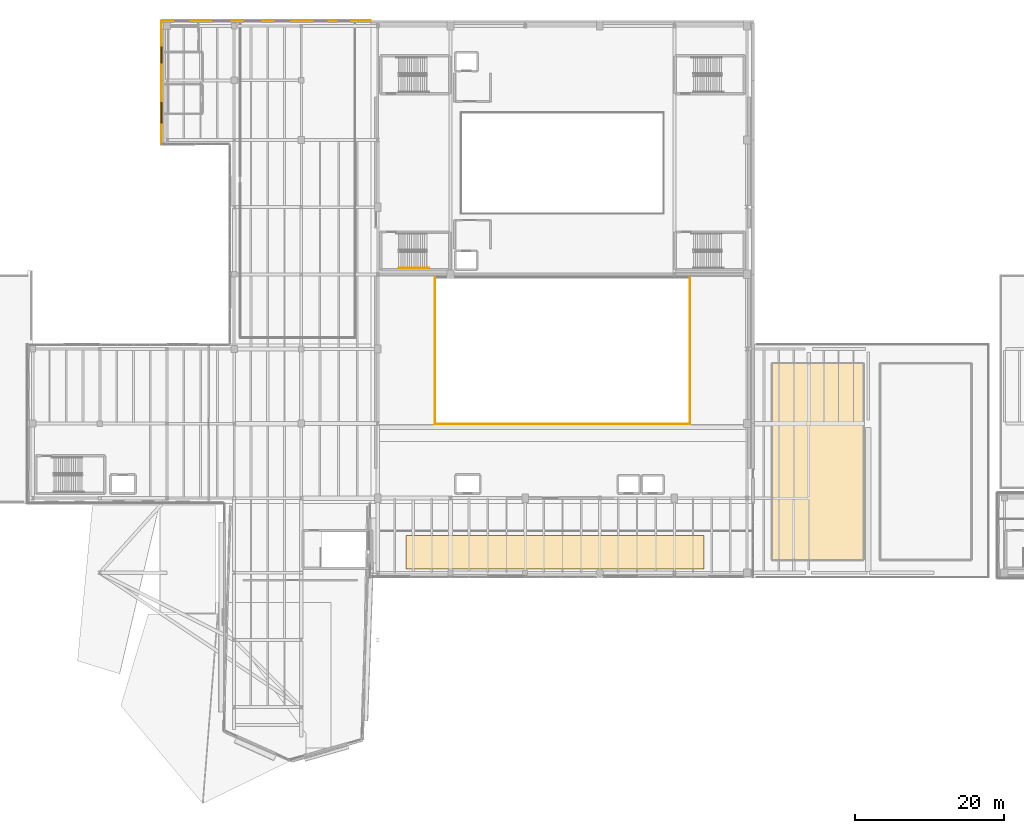
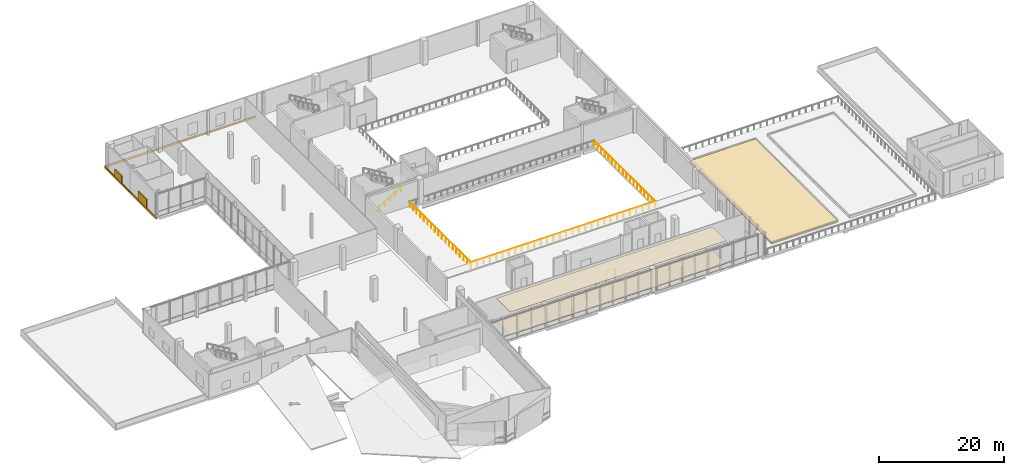
# One storey, part 36 of 41: 8 coverings, 4 railings, 2 shading devices.
"""IFC4 building model written with IfcOpenShell, lengths in metres."""

from ifc_helpers import new_model, si_unit, direction, frame, origin, origin_2d, place, context, subcontext, project, spatial, polyline, rectangle, circle, outline, extrude, material, layer, layer_set, type_object, element, save


model = new_model("IFC4")

# Units and contexts
model_context = context("Model", 3, precision=1e-05, world=origin(), true_north=direction((0.0, 1.0)))
body_context = subcontext(model_context, "Body", "Model", "MODEL_VIEW")
ifc_project = project(units=[si_unit("LENGTHUNIT", "METRE"), si_unit("AREAUNIT", "SQUARE_METRE"), si_unit("VOLUMEUNIT", "CUBIC_METRE"), si_unit("PLANEANGLEUNIT", "RADIAN"), si_unit("MASSUNIT", "GRAM", prefix="KILO")], contexts=[model_context])

# Site, building, storey
site_placement = place(None, origin())
site = spatial("IfcSite", under=ifc_project, at=site_placement, CompositionType="ELEMENT")
building_placement = place(site_placement, origin())
building = spatial("IfcBuilding", under=site, at=building_placement, Name="Trimount Lyric Opera House", CompositionType="ELEMENT")
storey_placement = place(building_placement, frame((0.0, 0.0, 20.0)))
storey = spatial("IfcBuildingStorey", under=building, at=storey_placement, Name="L04", CompositionType="ELEMENT", Elevation=20.0)

# Coverings
ifc_material_1 = material(Name="Micro-Perforated White Oak Acoustic Ceiling")
ifc_layer_1 = layer(ifc_material_1, 0.0400390625)
ifc_layer_set_1 = layer_set([ifc_layer_1], Name="CEIL-AC1")
covering_type_1 = type_object("IfcCoveringType", Name="CEIL-AC1", PredefinedType="CEILING", material=ifc_layer_set_1)
covering_1_placement = place(storey_placement, frame((0.0, 0.0, 4.469970703125)))
element("IfcCovering", 1, at=covering_1_placement, inside=storey, type_object=covering_type_1, Name="Upper Gallery Foyer acoustic ceiling", PredefinedType="CEILING", context=body_context, shape_type="SweptSolid", body=[
    extrude(outline(polyline([(68.0, 44.5), (108.0, 44.5), (108.0, 49.0), (68.0, 49.0), (68.0, 44.5)])), origin(), (0.0, 0.0, 1.0), 0.0400390625),
])
ifc_material_2 = material(Name="Architectural Precast Concrete Spandrel Band", Category="concrete")
ifc_layer_2 = layer(ifc_material_2, 0.094970703125)
ifc_layer_set_2 = layer_set([ifc_layer_2], Name="CLD-WING1")
covering_type_2 = type_object("IfcCoveringType", Name="CLD-WING1", PredefinedType="CLADDING", material=ifc_layer_set_2)
covering_2_placement = place(storey_placement, frame((35.278564453125, 105.659912109375, -0.369873046875), z_axis=(0.0, 0.0, 1.0), x_axis=(0.0, 1.0, 0.0)))
element("IfcCovering", 2, at=covering_2_placement, inside=storey, type_object=covering_type_2, Name="L04 precast slab-edge spandrel 296", PredefinedType="CLADDING", context=body_context, shape_type="SweptSolid", body=[
    extrude(rectangle(XDim=8.6201171875, YDim=0.094970703125, at=origin_2d()), origin(), (0.0, 0.0, 1.0), 0.419921875),
])
covering_3_placement = place(storey_placement, frame((35.278564453125, 114.0, -0.369873046875), z_axis=(0.0, 0.0, 1.0), x_axis=(0.0, 1.0, 0.0)))
element("IfcCovering", 3, at=covering_3_placement, inside=storey, type_object=covering_type_2, Name="L04 precast slab-edge spandrel 297", PredefinedType="CLADDING", context=body_context, shape_type="SweptSolid", body=[
    extrude(rectangle(XDim=7.93994140625, YDim=0.094970703125, at=origin_2d()), origin(), (0.0, 0.0, 1.0), 0.419921875),
])
covering_4_placement = place(storey_placement, frame((40.159912109375, 118.04150390625, -0.369873046875), z_axis=(0.0, 0.0, 1.0), x_axis=(1.0, 0.0, 0.0)))
element("IfcCovering", 4, at=covering_4_placement, inside=storey, type_object=covering_type_2, Name="L04 precast slab-edge spandrel 298", PredefinedType="CLADDING", context=body_context, shape_type="SweptSolid", body=[
    extrude(rectangle(XDim=9.6201171875, YDim=0.094970703125, at=origin_2d()), origin(), (0.0, 0.0, 1.0), 0.419921875),
])
covering_5_placement = place(storey_placement, frame((49.5, 118.04150390625, -0.369873046875), z_axis=(0.0, 0.0, 1.0), x_axis=(1.0, 0.0, 0.0)))
element("IfcCovering", 5, at=covering_5_placement, inside=storey, type_object=covering_type_2, Name="L04 precast slab-edge spandrel 299", PredefinedType="CLADDING", context=body_context, shape_type="SweptSolid", body=[
    extrude(rectangle(XDim=8.93994140625, YDim=0.094970703125, at=origin_2d()), origin(), (0.0, 0.0, 1.0), 0.419921875),
])
covering_6_placement = place(storey_placement, frame((58.659912109375, 118.04150390625, -0.369873046875), z_axis=(0.0, 0.0, 1.0), x_axis=(1.0, 0.0, 0.0)))
element("IfcCovering", 6, at=covering_6_placement, inside=storey, type_object=covering_type_2, Name="L04 precast slab-edge spandrel 300", PredefinedType="CLADDING", context=body_context, shape_type="SweptSolid", body=[
    extrude(rectangle(XDim=9.260009765625, YDim=0.094970703125, at=origin_2d()), origin(), (0.0, 0.0, 1.0), 0.419921875),
])
ifc_material_3 = material(Name="Honed Granite Terrazzo Concourse Flooring", Category="masonry")
ifc_layer_3 = layer(ifc_material_3, 0.02490234375)
ifc_layer_set_3 = layer_set([ifc_layer_3], Name="FLR-TRZ1")
covering_type_3 = type_object("IfcCoveringType", Name="FLR-TRZ1", PredefinedType="FLOORING", material=ifc_layer_set_3)
covering_7_placement = place(storey_placement, origin())
element("IfcCovering", 7, at=covering_7_placement, inside=storey, type_object=covering_type_3, Name="Upper Gallery Foyer finish flooring", PredefinedType="FLOORING", context=body_context, shape_type="SweptSolid", body=[
    extrude(outline(polyline([(68.0, 44.5), (108.0, 44.5), (108.0, 49.0), (68.0, 49.0), (68.0, 44.5)])), origin(), (0.0, 0.0, 1.0), 0.02490234375),
])
ifc_material_4 = material(Name="Intensive Planted Sedum and Perennial Roof Garden")
ifc_layer_4 = layer(ifc_material_4, 0.219970703125)
ifc_layer_set_4 = layer_set([ifc_layer_4], Name="RFG-GRDN1")
covering_type_4 = type_object("IfcCoveringType", Name="RFG-GRDN1", PredefinedType="ROOFING", material=ifc_layer_set_4)
covering_8_placement = place(storey_placement, origin())
element("IfcCovering", 8, at=covering_8_placement, inside=storey, type_object=covering_type_4, Name="East Workshop Roof Garden planted sedum and perennial bed 1", PredefinedType="ROOFING", context=body_context, shape_type="SweptSolid", body=[
    extrude(outline(polyline([(117.080078125, 45.719970703125), (129.340087890625, 45.719970703125), (129.340087890625, 72.080078125), (117.080078125, 72.080078125), (117.080078125, 45.719970703125)])), origin(), (0.0, 0.0, 1.0), 0.219970703125),
])

# Railings
ifc_material_5 = material(Name="Bronze and Laminated Acoustic Glass", Category="glass")
railing_type_1 = type_object("IfcRailingType", Name="RL-BAL112", PredefinedType="BALUSTRADE", material=ifc_material_5)
railing_1_placement = place(storey_placement, frame((71.919921875, 63.919921875, 0.0)))
element("IfcRailing", 9, at=railing_1_placement, inside=storey, type_object=railing_type_1, Name="L04 atrium and balcony guard GRD-AUD-L04-S", PredefinedType="BALUSTRADE", context=body_context, shape_type="SweptSolid", body=[
    extrude(circle(Radius=0.02734375, at=origin_2d()), frame((0.0, 0.0, 1.0927734375), z_axis=(1.0, 0.0, 0.0), x_axis=(0.0, 1.0, 0.0)), (0.0, 0.0, 1.0), 34.16015625),
    extrude(circle(Radius=0.02099609375, at=origin_2d()), origin(), (0.0, 0.0, 1.0), 1.065185546875),
    extrude(circle(Radius=0.02099609375, at=origin_2d()), frame((1.177978515625, 0.0, 0.0)), (0.0, 0.0, 1.0), 1.065185546875),
    extrude(circle(Radius=0.02099609375, at=origin_2d()), frame((2.35595703125, 0.0, 0.0)), (0.0, 0.0, 1.0), 1.065185546875),
    extrude(circle(Radius=0.02099609375, at=origin_2d()), frame((3.53369140625, 0.0, 0.0)), (0.0, 0.0, 1.0), 1.065185546875),
    extrude(circle(Radius=0.02099609375, at=origin_2d()), frame((4.711669921875, 0.0, 0.0)), (0.0, 0.0, 1.0), 1.065185546875),
    extrude(circle(Radius=0.02099609375, at=origin_2d()), frame((5.8896484375, 0.0, 0.0)), (0.0, 0.0, 1.0), 1.065185546875),
    extrude(circle(Radius=0.02099609375, at=origin_2d()), frame((7.067626953125, 0.0, 0.0)), (0.0, 0.0, 1.0), 1.065185546875),
    extrude(circle(Radius=0.02099609375, at=origin_2d()), frame((8.24560546875, 0.0, 0.0)), (0.0, 0.0, 1.0), 1.065185546875),
    extrude(circle(Radius=0.02099609375, at=origin_2d()), frame((9.423583984375, 0.0, 0.0)), (0.0, 0.0, 1.0), 1.065185546875),
    extrude(circle(Radius=0.02099609375, at=origin_2d()), frame((10.601318359375, 0.0, 0.0)), (0.0, 0.0, 1.0), 1.065185546875),
    extrude(circle(Radius=0.02099609375, at=origin_2d()), frame((11.779296875, 0.0, 0.0)), (0.0, 0.0, 1.0), 1.065185546875),
    extrude(circle(Radius=0.02099609375, at=origin_2d()), frame((12.957275390625, 0.0, 0.0)), (0.0, 0.0, 1.0), 1.065185546875),
    extrude(circle(Radius=0.02099609375, at=origin_2d()), frame((14.13525390625, 0.0, 0.0)), (0.0, 0.0, 1.0), 1.065185546875),
    extrude(circle(Radius=0.02099609375, at=origin_2d()), frame((15.313232421875, 0.0, 0.0)), (0.0, 0.0, 1.0), 1.065185546875),
    extrude(circle(Radius=0.02099609375, at=origin_2d()), frame((16.4912109375, 0.0, 0.0)), (0.0, 0.0, 1.0), 1.065185546875),
    extrude(circle(Radius=0.02099609375, at=origin_2d()), frame((17.6689453125, 0.0, 0.0)), (0.0, 0.0, 1.0), 1.065185546875),
    extrude(circle(Radius=0.02099609375, at=origin_2d()), frame((18.846923828125, 0.0, 0.0)), (0.0, 0.0, 1.0), 1.065185546875),
    extrude(circle(Radius=0.02099609375, at=origin_2d()), frame((20.02490234375, 0.0, 0.0)), (0.0, 0.0, 1.0), 1.065185546875),
    extrude(circle(Radius=0.02099609375, at=origin_2d()), frame((21.202880859375, 0.0, 0.0)), (0.0, 0.0, 1.0), 1.065185546875),
    extrude(circle(Radius=0.02099609375, at=origin_2d()), frame((22.380859375, 0.0, 0.0)), (0.0, 0.0, 1.0), 1.065185546875),
    extrude(circle(Radius=0.02099609375, at=origin_2d()), frame((23.558837890625, 0.0, 0.0)), (0.0, 0.0, 1.0), 1.065185546875),
    extrude(circle(Radius=0.02099609375, at=origin_2d()), frame((24.736572265625, 0.0, 0.0)), (0.0, 0.0, 1.0), 1.065185546875),
    extrude(circle(Radius=0.02099609375, at=origin_2d()), frame((25.91455078125, 0.0, 0.0)), (0.0, 0.0, 1.0), 1.065185546875),
    extrude(circle(Radius=0.02099609375, at=origin_2d()), frame((27.092529296875, 0.0, 0.0)), (0.0, 0.0, 1.0), 1.065185546875),
    extrude(circle(Radius=0.02099609375, at=origin_2d()), frame((28.2705078125, 0.0, 0.0)), (0.0, 0.0, 1.0), 1.065185546875),
    extrude(circle(Radius=0.02099609375, at=origin_2d()), frame((29.448486328125, 0.0, 0.0)), (0.0, 0.0, 1.0), 1.065185546875),
    extrude(circle(Radius=0.02099609375, at=origin_2d()), frame((30.62646484375, 0.0, 0.0)), (0.0, 0.0, 1.0), 1.065185546875),
    extrude(circle(Radius=0.02099609375, at=origin_2d()), frame((31.80419921875, 0.0, 0.0)), (0.0, 0.0, 1.0), 1.065185546875),
    extrude(circle(Radius=0.02099609375, at=origin_2d()), frame((32.982177734375, 0.0, 0.0)), (0.0, 0.0, 1.0), 1.065185546875),
    extrude(circle(Radius=0.02099609375, at=origin_2d()), frame((34.16015625, 0.0, 0.0)), (0.0, 0.0, 1.0), 1.065185546875),
])
railing_2_placement = place(storey_placement, frame((106.080078125, 63.919921875, 0.0)))
element("IfcRailing", 10, at=railing_2_placement, inside=storey, type_object=railing_type_1, Name="L04 atrium and balcony guard GRD-AUD-L04-E", PredefinedType="BALUSTRADE", context=body_context, shape_type="SweptSolid", body=[
    extrude(circle(Radius=0.02734375, at=origin_2d()), frame((0.0, 0.0, 1.0927734375), z_axis=(0.0, 1.0, 0.0), x_axis=(-1.0, 0.0, 0.0)), (0.0, 0.0, 1.0), 19.66015625),
    extrude(circle(Radius=0.02099609375, at=origin_2d()), origin(), (0.0, 0.0, 1.0), 1.065185546875),
    extrude(circle(Radius=0.02099609375, at=origin_2d()), frame((0.0, 1.156494140625, 0.0)), (0.0, 0.0, 1.0), 1.065185546875),
    extrude(circle(Radius=0.02099609375, at=origin_2d()), frame((0.0, 2.31298828125, 0.0)), (0.0, 0.0, 1.0), 1.065185546875),
    extrude(circle(Radius=0.02099609375, at=origin_2d()), frame((0.0, 3.469482421875, 0.0)), (0.0, 0.0, 1.0), 1.065185546875),
    extrude(circle(Radius=0.02099609375, at=origin_2d()), frame((0.0, 4.6259765625, 0.0)), (0.0, 0.0, 1.0), 1.065185546875),
    extrude(circle(Radius=0.02099609375, at=origin_2d()), frame((0.0, 5.782470703125, 0.0)), (0.0, 0.0, 1.0), 1.065185546875),
    extrude(circle(Radius=0.02099609375, at=origin_2d()), frame((0.0, 6.93896484375, 0.0)), (0.0, 0.0, 1.0), 1.065185546875),
    extrude(circle(Radius=0.02099609375, at=origin_2d()), frame((0.0, 8.095458984375, 0.0)), (0.0, 0.0, 1.0), 1.065185546875),
    extrude(circle(Radius=0.02099609375, at=origin_2d()), frame((0.0, 9.251953125, 0.0)), (0.0, 0.0, 1.0), 1.065185546875),
    extrude(circle(Radius=0.02099609375, at=origin_2d()), frame((0.0, 10.408203125, 0.0)), (0.0, 0.0, 1.0), 1.065185546875),
    extrude(circle(Radius=0.02099609375, at=origin_2d()), frame((0.0, 11.564697265625, 0.0)), (0.0, 0.0, 1.0), 1.065185546875),
    extrude(circle(Radius=0.02099609375, at=origin_2d()), frame((0.0, 12.72119140625, 0.0)), (0.0, 0.0, 1.0), 1.065185546875),
    extrude(circle(Radius=0.02099609375, at=origin_2d()), frame((0.0, 13.877685546875, 0.0)), (0.0, 0.0, 1.0), 1.065185546875),
    extrude(circle(Radius=0.02099609375, at=origin_2d()), frame((0.0, 15.0341796875, 0.0)), (0.0, 0.0, 1.0), 1.065185546875),
    extrude(circle(Radius=0.02099609375, at=origin_2d()), frame((0.0, 16.190673828125, 0.0)), (0.0, 0.0, 1.0), 1.065185546875),
    extrude(circle(Radius=0.02099609375, at=origin_2d()), frame((0.0, 17.34716796875, 0.0)), (0.0, 0.0, 1.0), 1.065185546875),
    extrude(circle(Radius=0.02099609375, at=origin_2d()), frame((0.0, 18.503662109375, 0.0)), (0.0, 0.0, 1.0), 1.065185546875),
    extrude(circle(Radius=0.02099609375, at=origin_2d()), frame((0.0, 19.66015625, 0.0)), (0.0, 0.0, 1.0), 1.065185546875),
])
railing_3_placement = place(storey_placement, frame((71.919921875, 83.580078125, 0.0)))
element("IfcRailing", 11, at=railing_3_placement, inside=storey, type_object=railing_type_1, Name="L04 atrium and balcony guard GRD-AUD-L04-W", PredefinedType="BALUSTRADE", context=body_context, shape_type="SweptSolid", body=[
    extrude(circle(Radius=0.02734375, at=origin_2d()), frame((0.0, 0.0, 1.0927734375), z_axis=(0.0, -1.0, 0.0), x_axis=(1.0, 0.0, 0.0)), (0.0, 0.0, 1.0), 19.66015625),
    extrude(circle(Radius=0.02099609375, at=origin_2d()), origin(), (0.0, 0.0, 1.0), 1.065185546875),
    extrude(circle(Radius=0.02099609375, at=origin_2d()), frame((0.0, -1.156494140625, 0.0)), (0.0, 0.0, 1.0), 1.065185546875),
    extrude(circle(Radius=0.02099609375, at=origin_2d()), frame((0.0, -2.31298828125, 0.0)), (0.0, 0.0, 1.0), 1.065185546875),
    extrude(circle(Radius=0.02099609375, at=origin_2d()), frame((0.0, -3.469482421875, 0.0)), (0.0, 0.0, 1.0), 1.065185546875),
    extrude(circle(Radius=0.02099609375, at=origin_2d()), frame((0.0, -4.6259765625, 0.0)), (0.0, 0.0, 1.0), 1.065185546875),
    extrude(circle(Radius=0.02099609375, at=origin_2d()), frame((0.0, -5.782470703125, 0.0)), (0.0, 0.0, 1.0), 1.065185546875),
    extrude(circle(Radius=0.02099609375, at=origin_2d()), frame((0.0, -6.93896484375, 0.0)), (0.0, 0.0, 1.0), 1.065185546875),
    extrude(circle(Radius=0.02099609375, at=origin_2d()), frame((0.0, -8.095458984375, 0.0)), (0.0, 0.0, 1.0), 1.065185546875),
    extrude(circle(Radius=0.02099609375, at=origin_2d()), frame((0.0, -9.251953125, 0.0)), (0.0, 0.0, 1.0), 1.065185546875),
    extrude(circle(Radius=0.02099609375, at=origin_2d()), frame((0.0, -10.408203125, 0.0)), (0.0, 0.0, 1.0), 1.065185546875),
    extrude(circle(Radius=0.02099609375, at=origin_2d()), frame((0.0, -11.564697265625, 0.0)), (0.0, 0.0, 1.0), 1.065185546875),
    extrude(circle(Radius=0.02099609375, at=origin_2d()), frame((0.0, -12.72119140625, 0.0)), (0.0, 0.0, 1.0), 1.065185546875),
    extrude(circle(Radius=0.02099609375, at=origin_2d()), frame((0.0, -13.877685546875, 0.0)), (0.0, 0.0, 1.0), 1.065185546875),
    extrude(circle(Radius=0.02099609375, at=origin_2d()), frame((0.0, -15.0341796875, 0.0)), (0.0, 0.0, 1.0), 1.065185546875),
    extrude(circle(Radius=0.02099609375, at=origin_2d()), frame((0.0, -16.190673828125, 0.0)), (0.0, 0.0, 1.0), 1.065185546875),
    extrude(circle(Radius=0.02099609375, at=origin_2d()), frame((0.0, -17.34716796875, 0.0)), (0.0, 0.0, 1.0), 1.065185546875),
    extrude(circle(Radius=0.02099609375, at=origin_2d()), frame((0.0, -18.503662109375, 0.0)), (0.0, 0.0, 1.0), 1.065185546875),
    extrude(circle(Radius=0.02099609375, at=origin_2d()), frame((0.0, -19.66015625, 0.0)), (0.0, 0.0, 1.0), 1.065185546875),
])
ifc_material_6 = material(Name="Brushed Stainless Steel 316", Category="steel")
railing_type_2 = type_object("IfcRailingType", Name="RL-HND092", PredefinedType="HANDRAIL", material=ifc_material_6)
railing_4_placement = place(storey_placement, frame((67.050048828125, 84.85009765625, 0.17138671875)))
element("IfcRailing", 12, at=railing_4_placement, inside=storey, type_object=railing_type_2, Name="L04 ST-03 stair handrail 1", PredefinedType="HANDRAIL", context=body_context, shape_type="SweptSolid", body=[
    extrude(circle(Radius=0.0224609375, at=origin_2d()), frame((0.0, 0.0, 0.8974609375), z_axis=(0.86055955557, 0.0, 0.509349831959), x_axis=(0.0, 1.0, 0.0)), (0.0, 0.0, 1.0), 4.718017578125),
    extrude(circle(Radius=0.02099609375, at=origin_2d()), origin(), (0.0, 0.0, 1.0), 0.875),
    extrude(circle(Radius=0.02099609375, at=origin_2d()), frame((1.01513671875, 0.0, 0.600830078125)), (0.0, 0.0, 1.0), 0.875),
    extrude(circle(Radius=0.02099609375, at=origin_2d()), frame((2.030029296875, 0.0, 1.20166015625)), (0.0, 0.0, 1.0), 0.875),
    extrude(circle(Radius=0.02099609375, at=origin_2d()), frame((3.044921875, 0.0, 1.80224609375)), (0.0, 0.0, 1.0), 0.875),
    extrude(circle(Radius=0.02099609375, at=origin_2d()), frame((4.06005859375, 0.0, 2.403076171875)), (0.0, 0.0, 1.0), 0.875),
])

# Shading devices
ifc_material_7 = material(Name="Anodised Bronze Acoustic Weather Louvre")
shading_device_type_1 = type_object("IfcShadingDeviceType", Name="SHD-LVR1", PredefinedType="JALOUSIE", material=ifc_material_7)
shading_device_1_placement = place(storey_placement, frame((35.248046875, 105.659912109375, 0.14990234375), z_axis=(0.0, 0.0, 1.0), x_axis=(1.0, 0.0, 0.0)))
element("IfcShadingDevice", 13, at=shading_device_1_placement, inside=storey, type_object=shading_device_type_1, Name="Acoustic plant intake louvre 07", PredefinedType="JALOUSIE", context=body_context, shape_type="SweptSolid", body=[
    extrude(rectangle(XDim=0.219970703125, YDim=2.800048828125, at=origin_2d()), origin(), (0.0, 0.0, 1.0), 1.60009765625),
])
ifc_material_8 = material(Name="Anodised Bronze Acoustic Weather Louvre")
shading_device_type_2 = type_object("IfcShadingDeviceType", Name="SHD-LVR2", PredefinedType="JALOUSIE", material=ifc_material_8)
shading_device_2_placement = place(storey_placement, frame((35.248046875, 113.4150390625, 0.150146484375), z_axis=(0.0, 0.0, 1.0), x_axis=(1.0, 0.0, 0.0)))
element("IfcShadingDevice", 14, at=shading_device_2_placement, inside=storey, type_object=shading_device_type_2, Name="Acoustic plant intake louvre 08", PredefinedType="JALOUSIE", context=body_context, shape_type="SweptSolid", body=[
    extrude(rectangle(XDim=0.219970703125, YDim=2.199951171875, at=origin_2d()), origin(), (0.0, 0.0, 1.0), 1.39990234375),
])

save(model, "model.ifc")
